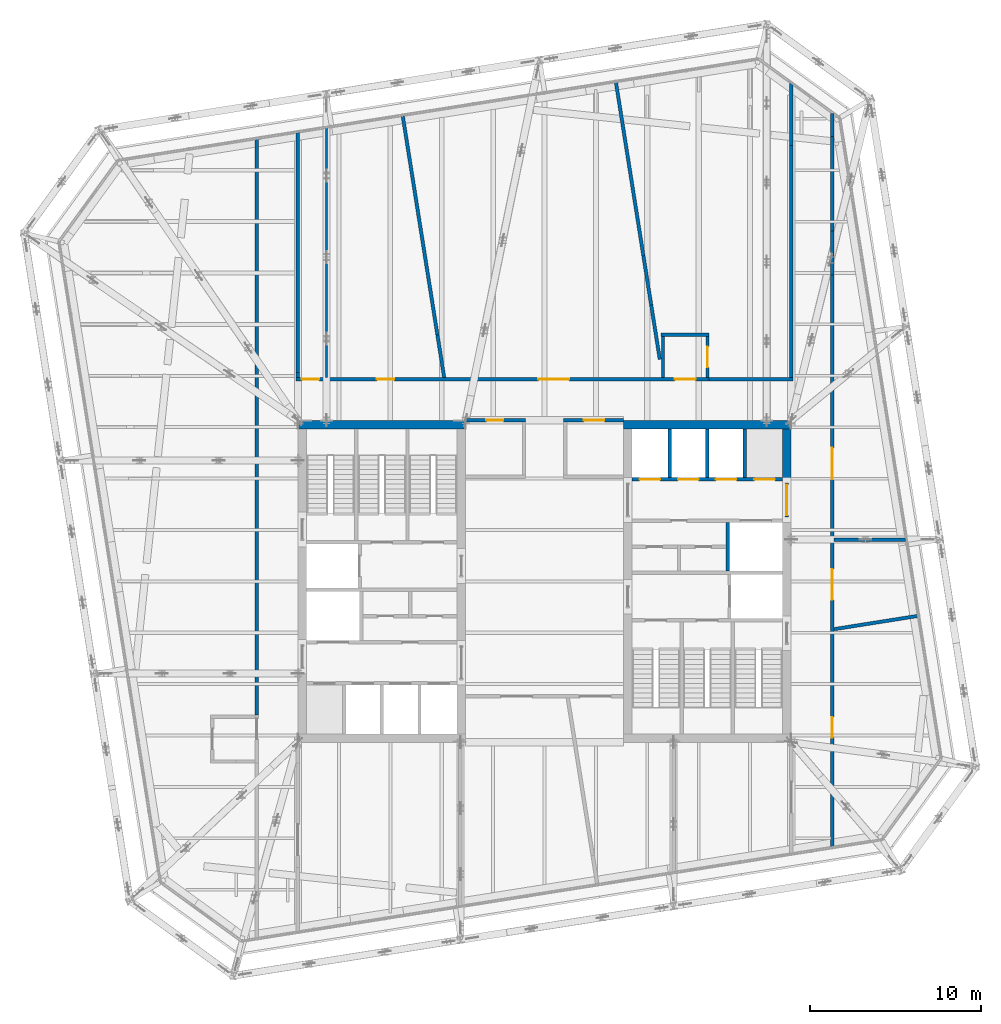
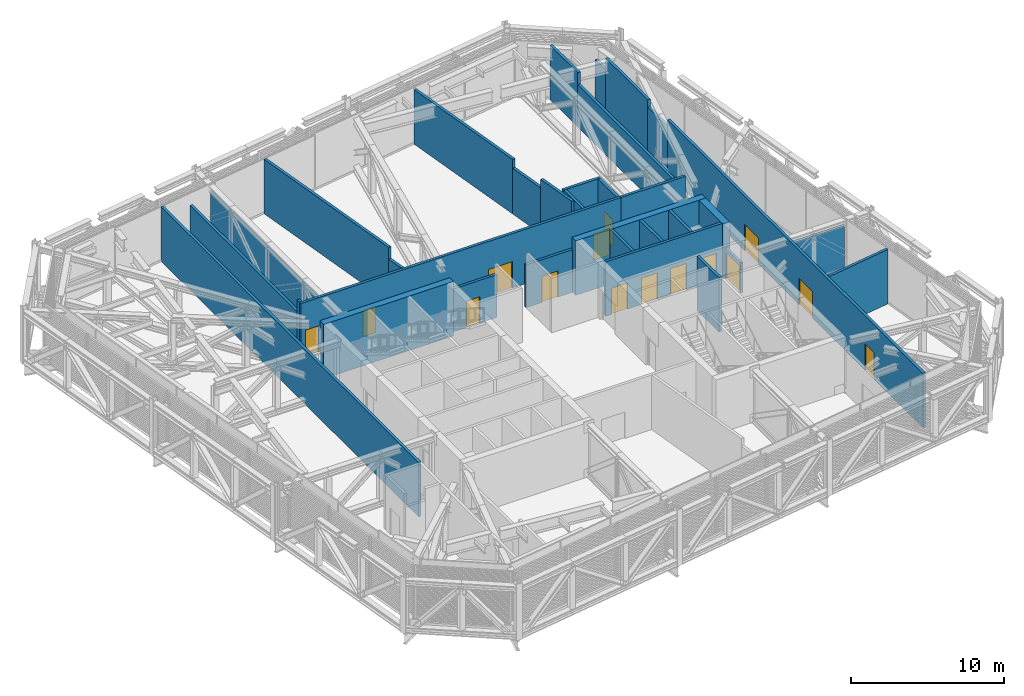
# One storey, part 23 of 32: 33 walls, 15 doors, 15 openings.
"""IFC4 building model written with IfcOpenShell, lengths in metres."""

from ifc_helpers import new_model, si_unit, direction, frame, frame_2d, origin, place, context, subcontext, project, spatial, rectangle, extrude, material, layer, layer_set, type_object, element, fill, save


model = new_model("IFC4")

# Units and contexts
model_context = context("Model", 3, precision=1e-05, world=origin(), true_north=direction((0.0, 1.0)))
body_context = subcontext(model_context, "Body", "Model", "MODEL_VIEW")
ifc_project = project(units=[si_unit("LENGTHUNIT", "METRE"), si_unit("AREAUNIT", "SQUARE_METRE"), si_unit("VOLUMEUNIT", "CUBIC_METRE"), si_unit("PLANEANGLEUNIT", "RADIAN"), si_unit("MASSUNIT", "GRAM", prefix="KILO")], contexts=[model_context])

# Site, building, storey
site_placement = place(None, origin())
site = spatial("IfcSite", under=ifc_project, at=site_placement, CompositionType="ELEMENT")
building_placement = place(site_placement, origin())
building = spatial("IfcBuilding", under=site, at=building_placement, Name="Millrace Tower", CompositionType="ELEMENT")
storey_placement = place(building_placement, frame((0.0, 0.0, 266.89990234375)))
storey = spatial("IfcBuildingStorey", under=building, at=storey_placement, Name="L61", CompositionType="ELEMENT", Elevation=266.89990234375)

# Walls
ifc_material_1 = material(Name="Concrete C60", Category="concrete")
ifc_layer_1 = layer(ifc_material_1, 0.5)
ifc_layer_set_1 = layer_set([ifc_layer_1], Name="Concrete C60")
wall_type_1 = type_object("IfcWallType", Name="Core wall 500 Concrete C60", PredefinedType="SHEAR", material=ifc_layer_set_1)
for number, where, z_axis, x_axis, name in (
    (1, (-14.39990234375, 9.14990234375, 0.0), (0.0, 0.0, 1.0), (1.0, 0.0, 0.0), "Core wall W L61"),
    (2, (14.39990234375, 9.14990234375, 0.0), (0.0, 0.0, 1.0), (-1.0, 0.0, 0.0), "Core wall E L61"),
):
    element("IfcWall", number, at=place(storey_placement, frame(where, z_axis=z_axis, x_axis=x_axis)), inside=storey, type_object=wall_type_1, Name=name, PredefinedType="SHEAR", context=body_context, shape_type="SweptSolid", body=[
        extrude(rectangle(XDim=9.7998046875, YDim=0.5, at=frame_2d((4.89990234375, 0.0))), origin(), (0.0, 0.0, 1.0), 4.340087890625),
    ])
wall_1_placement = place(storey_placement, frame((14.14990234375, 8.89990234375, 0.0), z_axis=(0.0, 0.0, 1.0), x_axis=(0.0, -1.0, 0.0)))
element("IfcWall", 3, at=wall_1_placement, inside=storey, type_object=wall_type_1, Name="Core wall E L61", PredefinedType="SHEAR", context=body_context, shape_type="SweptSolid", body=[
    extrude(rectangle(XDim=3.14990234375, YDim=0.5, at=frame_2d((1.574951171875, 0.0))), origin(), (0.0, 0.0, 1.0), 4.340087890625),
])
ifc_material_2 = material(Name="Masonry partition, fire-rated", Category="masonry")
ifc_layer_2 = layer(ifc_material_2, 0.199951171875)
ifc_layer_set_2 = layer_set([ifc_layer_2], Name="Masonry partition, fire-rated")
wall_type_2 = type_object("IfcWallType", Name="Corridor wall 200", PredefinedType="PARTITIONING", material=ifc_layer_set_2)
wall_2_placement = place(storey_placement, frame((-8.27685546875, 27.16796875, 0.0), z_axis=(0.0, 0.0, 1.0), x_axis=(0.156424635282, -0.987689897426, 0.0)))
element("IfcWall", 4, at=wall_2_placement, inside=storey, type_object=wall_type_2, Name="Corridor wall L61", PredefinedType="PARTITIONING", context=body_context, shape_type="SweptSolid", body=[
    extrude(rectangle(XDim=12.94189453125, YDim=0.199951171875, at=frame_2d((6.470947265625, 0.0))), origin(), (0.0, 0.0, 1.0), 4.340087890625),
])
wall_3_placement = place(storey_placement, frame((-6.25244140625, 14.385498046875, 0.0), z_axis=(0.0, 0.0, 1.0), x_axis=(0.156430978119, -0.987688892863, 0.0)))
element("IfcWall", 5, at=wall_3_placement, inside=storey, type_object=wall_type_2, Name="Corridor wall L61", PredefinedType="PARTITIONING", context=body_context, shape_type="SweptSolid", body=[
    extrude(rectangle(XDim=2.515869140625, YDim=0.199951171875, at=frame_2d((1.2578125, 0.0))), origin(), (0.0, 0.0, 1.0), 3.4130859375),
])
wall_4_placement = place(storey_placement, frame((16.900146484375, 2.4384765625, 0.0), z_axis=(0.0, 0.0, 1.0), x_axis=(1.0, 0.0, 0.0)))
element("IfcWall", 6, at=wall_4_placement, inside=storey, type_object=wall_type_2, Name="Corridor wall L61", PredefinedType="PARTITIONING", context=body_context, shape_type="SweptSolid", body=[
    extrude(rectangle(XDim=4.18310546875, YDim=0.199951171875, at=frame_2d((2.091552734375, 0.0))), origin(), (0.0, 0.0, 1.0), 3.76513671875),
])

# Wall, opening, door
wall_5_placement = place(storey_placement, frame((-4.60009765625, 9.39990234375, 0.0), z_axis=(0.0, 0.0, 1.0), x_axis=(1.0, 0.0, 0.0)))
wall_5 = element("IfcWall", 7, at=wall_5_placement, inside=storey, type_object=wall_type_2, Name="Corridor wall L61", PredefinedType="PARTITIONING", context=body_context, shape_type="SweptSolid", body=[
    extrude(rectangle(XDim=3.5, YDim=0.199951171875, at=frame_2d((1.75, 0.0))), origin(), (0.0, 0.0, 1.0), 3.4130859375),
])
opening_1_placement = place(wall_5_placement, frame((1.199951171875, 0.0, 0.0)))
opening_1 = element("IfcOpeningElement", 8, at=opening_1_placement, cuts=wall_5, Name="Opening 61-P001", PredefinedType="OPENING", context=body_context, shape_type="SweptSolid", body=[
    extrude(rectangle(XDim=1.0, YDim=2.10009765625, at=frame_2d((0.5, 1.050048828125))), frame((0.0, 0.10986328125, 0.0), z_axis=(0.0, -1.0, 0.0), x_axis=(1.0, 0.0, 0.0)), (0.0, 0.0, 1.0), 0.219970703125),
])
ifc_material_3 = material(Name="Steel door set, fire-rated", Category="steel")
door_type_1 = type_object("IfcDoorType", Name="Corridor door 1000 x 2100", OperationType="SINGLE_SWING_LEFT", PredefinedType="DOOR", material=ifc_material_3)
door_1_placement = place(opening_1_placement, frame((1.0, 0.0, 0.0), z_axis=(0.0, 0.0, 1.0), x_axis=(-1.0, 0.0, 0.0)))
door_1 = element("IfcDoor", 9, at=door_1_placement, inside=storey, type_object=door_type_1, Name="Door 61-P001", OperationType="SINGLE_SWING_LEFT", OverallHeight=2.10009765625, OverallWidth=1.0, PredefinedType="DOOR", context=body_context, shape_type="SweptSolid", body=[
    extrude(rectangle(XDim=1.0, YDim=2.10009765625, at=frame_2d((0.5, 1.050048828125))), frame((0.0, 0.02490234375, 0.0), z_axis=(0.0, -1.0, 0.0), x_axis=(1.0, 0.0, 0.0)), (0.0, 0.0, 1.0), 0.050048828125),
])
fill(opening_1, door_1)

wall_6_placement = place(storey_placement, frame((1.10009765625, 9.39990234375, 0.0), z_axis=(0.0, 0.0, 1.0), x_axis=(1.0, 0.0, 0.0)))
wall_6 = element("IfcWall", 10, at=wall_6_placement, inside=storey, type_object=wall_type_2, Name="Corridor wall L61", PredefinedType="PARTITIONING", context=body_context, shape_type="SweptSolid", body=[
    extrude(rectangle(XDim=3.5, YDim=0.199951171875, at=frame_2d((1.75, 0.0))), origin(), (0.0, 0.0, 1.0), 3.4130859375),
])
opening_2_placement = place(wall_6_placement, frame((1.199951171875, 0.0, 0.0)))
opening_2 = element("IfcOpeningElement", 11, at=opening_2_placement, cuts=wall_6, Name="Opening 61-P002", PredefinedType="OPENING", context=body_context, shape_type="SweptSolid", body=[
    extrude(rectangle(XDim=1.199951171875, YDim=2.10009765625, at=frame_2d((0.60009765625, 1.050048828125))), frame((0.0, 0.10986328125, 0.0), z_axis=(0.0, -1.0, 0.0), x_axis=(1.0, 0.0, 0.0)), (0.0, 0.0, 1.0), 0.219970703125),
])
ifc_material_4 = material(Name="Steel door set, fire-rated", Category="steel")
door_type_2 = type_object("IfcDoorType", Name="Corridor door 1200 x 2100", OperationType="SINGLE_SWING_LEFT", PredefinedType="DOOR", material=ifc_material_4)
door_2_placement = place(opening_2_placement, frame((1.199951171875, 0.0, 0.0), z_axis=(0.0, 0.0, 1.0), x_axis=(-1.0, 0.0, 0.0)))
door_2 = element("IfcDoor", 12, at=door_2_placement, inside=storey, type_object=door_type_2, Name="Door 61-P002", OperationType="SINGLE_SWING_LEFT", OverallHeight=2.10009765625, OverallWidth=1.199951171875, PredefinedType="DOOR", context=body_context, shape_type="SweptSolid", body=[
    extrude(rectangle(XDim=1.199951171875, YDim=2.10009765625, at=frame_2d((0.60009765625, 1.050048828125))), frame((0.0, 0.02490234375, 0.0), z_axis=(0.0, -1.0, 0.0), x_axis=(1.0, 0.0, 0.0)), (0.0, 0.0, 1.0), 0.050048828125),
])
fill(opening_2, door_2)

# Wall, openings, doors
wall_7_placement = place(storey_placement, frame((-14.5, 11.800048828125, 0.0), z_axis=(0.0, 0.0, 1.0), x_axis=(1.0, 0.0, 0.0)))
wall_7 = element("IfcWall", 13, at=wall_7_placement, inside=storey, type_object=wall_type_2, Name="Corridor wall L61", PredefinedType="PARTITIONING", context=body_context, shape_type="SweptSolid", body=[
    extrude(rectangle(XDim=24.114013671875, YDim=0.199951171875, at=frame_2d((12.05712890625, 0.0))), origin(), (0.0, 0.0, 1.0), 4.340087890625),
])
opening_3_placement = place(wall_7_placement, frame((0.333251953125, 0.0, 0.0)))
opening_3 = element("IfcOpeningElement", 14, at=opening_3_placement, cuts=wall_7, Name="Opening 61-P005", PredefinedType="OPENING", context=body_context, shape_type="SweptSolid", body=[
    extrude(rectangle(XDim=1.0, YDim=2.10009765625, at=frame_2d((0.5, 1.050048828125))), frame((0.0, 0.10986328125, 0.0), z_axis=(0.0, -1.0, 0.0), x_axis=(1.0, 0.0, 0.0)), (0.0, 0.0, 1.0), 0.219970703125),
])
opening_4_placement = place(wall_7_placement, frame((4.7119140625, 0.0, 0.0)))
opening_4 = element("IfcOpeningElement", 15, at=opening_4_placement, cuts=wall_7, Name="Opening 61-P006", PredefinedType="OPENING", context=body_context, shape_type="SweptSolid", body=[
    extrude(rectangle(XDim=1.0, YDim=2.10009765625, at=frame_2d((0.5, 1.050048828125))), frame((0.0, 0.10986328125, 0.0), z_axis=(0.0, -1.0, 0.0), x_axis=(1.0, 0.0, 0.0)), (0.0, 0.0, 1.0), 0.219970703125),
])
opening_5_placement = place(wall_7_placement, frame((14.135498046875, 0.0, 0.0)))
opening_5 = element("IfcOpeningElement", 16, at=opening_5_placement, cuts=wall_7, Name="Opening 61-P007", PredefinedType="OPENING", context=body_context, shape_type="SweptSolid", body=[
    extrude(rectangle(XDim=1.800048828125, YDim=2.10009765625, at=frame_2d((0.89990234375, 1.050048828125))), frame((0.0, 0.10986328125, 0.0), z_axis=(0.0, -1.0, 0.0), x_axis=(1.0, 0.0, 0.0)), (0.0, 0.0, 1.0), 0.219970703125),
])
opening_6_placement = place(wall_7_placement, frame((22.114013671875, 0.0, 0.0)))
opening_6 = element("IfcOpeningElement", 17, at=opening_6_placement, cuts=wall_7, Name="Opening 61-P009", PredefinedType="OPENING", context=body_context, shape_type="SweptSolid", body=[
    extrude(rectangle(XDim=1.199951171875, YDim=2.10009765625, at=frame_2d((0.60009765625, 1.050048828125))), frame((0.0, 0.10986328125, 0.0), z_axis=(0.0, -1.0, 0.0), x_axis=(1.0, 0.0, 0.0)), (0.0, 0.0, 1.0), 0.219970703125),
])
door_3_placement = place(opening_3_placement, origin())
door_3 = element("IfcDoor", 18, at=door_3_placement, inside=storey, type_object=door_type_1, Name="Door 61-P005", OperationType="SINGLE_SWING_LEFT", OverallHeight=2.10009765625, OverallWidth=1.0, PredefinedType="DOOR", context=body_context, shape_type="SweptSolid", body=[
    extrude(rectangle(XDim=1.0, YDim=2.10009765625, at=frame_2d((0.5, 1.050048828125))), frame((0.0, 0.02490234375, 0.0), z_axis=(0.0, -1.0, 0.0), x_axis=(1.0, 0.0, 0.0)), (0.0, 0.0, 1.0), 0.050048828125),
])
fill(opening_3, door_3)
door_4_placement = place(opening_4_placement, origin())
door_4 = element("IfcDoor", 19, at=door_4_placement, inside=storey, type_object=door_type_1, Name="Door 61-P006", OperationType="SINGLE_SWING_LEFT", OverallHeight=2.10009765625, OverallWidth=1.0, PredefinedType="DOOR", context=body_context, shape_type="SweptSolid", body=[
    extrude(rectangle(XDim=1.0, YDim=2.10009765625, at=frame_2d((0.5, 1.050048828125))), frame((0.0, 0.02490234375, 0.0), z_axis=(0.0, -1.0, 0.0), x_axis=(1.0, 0.0, 0.0)), (0.0, 0.0, 1.0), 0.050048828125),
])
fill(opening_4, door_4)
door_5_placement = place(opening_6_placement, origin())
door_5 = element("IfcDoor", 20, at=door_5_placement, inside=storey, type_object=door_type_2, Name="Door 61-P009", OperationType="SINGLE_SWING_RIGHT", OverallHeight=2.10009765625, OverallWidth=1.199951171875, PredefinedType="DOOR", context=body_context, shape_type="SweptSolid", body=[
    extrude(rectangle(XDim=1.199951171875, YDim=2.10009765625, at=frame_2d((0.60009765625, 1.050048828125))), frame((0.0, 0.02490234375, 0.0), z_axis=(0.0, -1.0, 0.0), x_axis=(1.0, 0.0, 0.0)), (0.0, 0.0, 1.0), 0.050048828125),
])
fill(opening_6, door_5)
ifc_material_5 = material(Name="Steel door set, fire-rated", Category="steel")
door_type_3 = type_object("IfcDoorType", Name="Plant room door 1800 x 2100", OperationType="DOUBLE_DOOR_SINGLE_SWING", PredefinedType="DOOR", material=ifc_material_5)
door_6_placement = place(opening_5_placement, origin())
door_6 = element("IfcDoor", 21, at=door_6_placement, inside=storey, type_object=door_type_3, Name="Door 61-P007", OperationType="DOUBLE_DOOR_SINGLE_SWING", OverallHeight=2.10009765625, OverallWidth=1.800048828125, PredefinedType="DOOR", context=body_context, shape_type="SweptSolid", body=[
    extrude(rectangle(XDim=1.800048828125, YDim=2.10009765625, at=frame_2d((0.89990234375, 1.050048828125))), frame((0.0, 0.02490234375, 0.0), z_axis=(0.0, -1.0, 0.0), x_axis=(1.0, 0.0, 0.0)), (0.0, 0.0, 1.0), 0.050048828125),
])
fill(opening_5, door_6)

# Wall
wall_8_placement = place(storey_placement, frame((16.900634765625, -2.7919921875, 0.0), z_axis=(0.0, 0.0, 1.0), x_axis=(0.987706105312, 0.156322261786, 0.0)))
element("IfcWall", 22, at=wall_8_placement, inside=storey, type_object=wall_type_2, Name="Corridor wall L61", PredefinedType="PARTITIONING", context=body_context, shape_type="SweptSolid", body=[
    extrude(rectangle(XDim=4.94921875, YDim=0.199951171875, at=frame_2d((2.474609375, 0.0))), origin(), (0.0, 0.0, 1.0), 4.340087890625),
])

# Wall, openings, doors
wall_9_placement = place(storey_placement, frame((16.800048828125, -15.494384765625, 0.0), z_axis=(0.0, 0.0, 1.0), x_axis=(0.0, 1.0, 0.0)))
wall_9 = element("IfcWall", 23, at=wall_9_placement, inside=storey, type_object=wall_type_2, Name="Corridor wall L61", PredefinedType="PARTITIONING", context=body_context, shape_type="SweptSolid", body=[
    extrude(rectangle(XDim=33.366455078125, YDim=0.199951171875, at=frame_2d((16.68310546875, 0.0))), origin(), (0.0, 0.0, 1.0), 4.340087890625),
])
opening_7_placement = place(wall_9_placement, frame((6.368408203125, 0.0, 0.0)))
opening_7 = element("IfcOpeningElement", 24, at=opening_7_placement, cuts=wall_9, Name="Opening 61-P010", PredefinedType="OPENING", context=body_context, shape_type="SweptSolid", body=[
    extrude(rectangle(XDim=1.199951171875, YDim=2.10009765625, at=frame_2d((0.60009765625, 1.050048828125))), frame((0.0, 0.10986328125, 0.0), z_axis=(0.0, -1.0, 0.0), x_axis=(1.0, 0.0, 0.0)), (0.0, 0.0, 1.0), 0.219970703125),
])
opening_8_placement = place(wall_9_placement, frame((21.49462890625, 0.0, 0.0)))
opening_8 = element("IfcOpeningElement", 25, at=opening_8_placement, cuts=wall_9, Name="Opening 61-P011", PredefinedType="OPENING", context=body_context, shape_type="SweptSolid", body=[
    extrude(rectangle(XDim=1.800048828125, YDim=2.10009765625, at=frame_2d((0.89990234375, 1.050048828125))), frame((0.0, 0.10986328125, 0.0), z_axis=(0.0, -1.0, 0.0), x_axis=(1.0, 0.0, 0.0)), (0.0, 0.0, 1.0), 0.219970703125),
])
opening_9_placement = place(wall_9_placement, frame((14.40966796875, 0.0, 0.0)))
opening_9 = element("IfcOpeningElement", 26, at=opening_9_placement, cuts=wall_9, Name="Opening 61-P012", PredefinedType="OPENING", context=body_context, shape_type="SweptSolid", body=[
    extrude(rectangle(XDim=1.800048828125, YDim=2.10009765625, at=frame_2d((0.89990234375, 1.050048828125))), frame((0.0, 0.10986328125, 0.0), z_axis=(0.0, -1.0, 0.0), x_axis=(1.0, 0.0, 0.0)), (0.0, 0.0, 1.0), 0.219970703125),
])
ifc_material_6 = material(Name="Steel door set, fire-rated", Category="steel")
door_type_4 = type_object("IfcDoorType", Name="Plant room door 1200 x 2100", OperationType="SINGLE_SWING_LEFT", PredefinedType="DOOR", material=ifc_material_6)
door_7_placement = place(opening_7_placement, frame((1.199951171875, 0.0, 0.0), z_axis=(0.0, 0.0, 1.0), x_axis=(-1.0, 0.0, 0.0)))
door_7 = element("IfcDoor", 27, at=door_7_placement, inside=storey, type_object=door_type_4, Name="Door 61-P010", OperationType="SINGLE_SWING_RIGHT", OverallHeight=2.10009765625, OverallWidth=1.199951171875, PredefinedType="DOOR", context=body_context, shape_type="SweptSolid", body=[
    extrude(rectangle(XDim=1.199951171875, YDim=2.10009765625, at=frame_2d((0.60009765625, 1.050048828125))), frame((0.0, 0.02490234375, 0.0), z_axis=(0.0, -1.0, 0.0), x_axis=(1.0, 0.0, 0.0)), (0.0, 0.0, 1.0), 0.050048828125),
])
fill(opening_7, door_7)
door_8_placement = place(opening_8_placement, frame((1.800048828125, 0.0, 0.0), z_axis=(0.0, 0.0, 1.0), x_axis=(-1.0, 0.0, 0.0)))
door_8 = element("IfcDoor", 28, at=door_8_placement, inside=storey, type_object=door_type_3, Name="Door 61-P011", OperationType="DOUBLE_DOOR_SINGLE_SWING", OverallHeight=2.10009765625, OverallWidth=1.800048828125, PredefinedType="DOOR", context=body_context, shape_type="SweptSolid", body=[
    extrude(rectangle(XDim=1.800048828125, YDim=2.10009765625, at=frame_2d((0.89990234375, 1.050048828125))), frame((0.0, 0.02490234375, 0.0), z_axis=(0.0, -1.0, 0.0), x_axis=(1.0, 0.0, 0.0)), (0.0, 0.0, 1.0), 0.050048828125),
])
fill(opening_8, door_8)
door_9_placement = place(opening_9_placement, frame((1.800048828125, 0.0, 0.0), z_axis=(0.0, 0.0, 1.0), x_axis=(-1.0, 0.0, 0.0)))
door_9 = element("IfcDoor", 29, at=door_9_placement, inside=storey, type_object=door_type_3, Name="Door 61-P012", OperationType="DOUBLE_DOOR_SINGLE_SWING", OverallHeight=2.10009765625, OverallWidth=1.800048828125, PredefinedType="DOOR", context=body_context, shape_type="SweptSolid", body=[
    extrude(rectangle(XDim=1.800048828125, YDim=2.10009765625, at=frame_2d((0.89990234375, 1.050048828125))), frame((0.0, 0.02490234375, 0.0), z_axis=(0.0, -1.0, 0.0), x_axis=(1.0, 0.0, 0.0)), (0.0, 0.0, 1.0), 0.050048828125),
])
fill(opening_9, door_9)

# Walls
wall_10_placement = place(storey_placement, frame((16.800048828125, 17.8720703125, 0.0), z_axis=(0.0, 0.0, 1.0), x_axis=(0.0, 1.0, 0.0)))
element("IfcWall", 30, at=wall_10_placement, inside=storey, type_object=wall_type_2, Name="Corridor wall L61", PredefinedType="PARTITIONING", context=body_context, shape_type="SweptSolid", body=[
    extrude(rectangle(XDim=2.591796875, YDim=0.199951171875, at=frame_2d((1.2958984375, 0.0))), origin(), (0.0, 0.0, 1.0), 3.76513671875),
])
wall_11_placement = place(storey_placement, frame((16.800048828125, 20.4638671875, 0.0), z_axis=(0.0, 0.0, 1.0), x_axis=(0.0, 1.0, 0.0)))
element("IfcWall", 31, at=wall_11_placement, inside=storey, type_object=wall_type_2, Name="Corridor wall L61", PredefinedType="PARTITIONING", context=body_context, shape_type="SweptSolid", body=[
    extrude(rectangle(XDim=5.4990234375, YDim=0.199951171875, at=frame_2d((2.74951171875, 0.0))), origin(), (0.0, 0.0, 1.0), 4.340087890625),
])
wall_12_placement = place(storey_placement, frame((16.800048828125, 25.962890625, 0.0), z_axis=(0.0, 0.0, 1.0), x_axis=(0.0, 1.0, 0.0)))
element("IfcWall", 32, at=wall_12_placement, inside=storey, type_object=wall_type_2, Name="Corridor wall L61", PredefinedType="PARTITIONING", context=body_context, shape_type="SweptSolid", body=[
    extrude(rectangle(XDim=1.351318359375, YDim=0.199951171875, at=frame_2d((0.67578125, 0.0))), origin(), (0.0, 0.0, 1.0), 3.40283203125),
])
wall_13_placement = place(storey_placement, frame((-14.39990234375, 11.89990234375, 0.0), z_axis=(0.0, 0.0, 1.0), x_axis=(0.0, 1.0, 0.0)))
element("IfcWall", 33, at=wall_13_placement, inside=storey, type_object=wall_type_2, Name="Corridor wall L61", PredefinedType="PARTITIONING", context=body_context, shape_type="SweptSolid", body=[
    extrude(rectangle(XDim=0.304443359375, YDim=0.199951171875, at=frame_2d((0.15234375, 0.0))), origin(), (0.0, 0.0, 1.0), 4.340087890625),
])
wall_14_placement = place(storey_placement, frame((-14.39990234375, 12.204345703125, 0.0), z_axis=(0.0, 0.0, 1.0), x_axis=(0.0, 1.0, 0.0)))
element("IfcWall", 34, at=wall_14_placement, inside=storey, type_object=wall_type_2, Name="Corridor wall L61", PredefinedType="PARTITIONING", context=body_context, shape_type="SweptSolid", body=[
    extrude(rectangle(XDim=13.993896484375, YDim=0.199951171875, at=frame_2d((6.9970703125, 0.0))), origin(), (0.0, 0.0, 1.0), 3.392578125),
])

# Wall, openings, doors
ifc_material_7 = material(Name="Masonry partition, fire-rated", Category="masonry")
ifc_layer_3 = layer(ifc_material_7, 0.199951171875)
ifc_layer_set_3 = layer_set([ifc_layer_3], Name="Masonry partition, fire-rated")
wall_type_3 = type_object("IfcWallType", Name="Lift shaft wall 200", PredefinedType="PARTITIONING", material=ifc_layer_set_3)
wall_15_placement = place(storey_placement, frame((13.89990234375, 5.949951171875, 0.0), z_axis=(0.0, 0.0, 1.0), x_axis=(-1.0, 0.0, 0.0)))
wall_15 = element("IfcWall", 35, at=wall_15_placement, inside=storey, type_object=wall_type_3, Name="Lift shaft wall E L61", PredefinedType="PARTITIONING", context=body_context, shape_type="SweptSolid", body=[
    extrude(rectangle(XDim=8.7998046875, YDim=0.199951171875, at=frame_2d((4.39990234375, 0.0))), origin(), (0.0, 0.0, 1.0), 4.340087890625),
])
opening_10_placement = place(wall_15_placement, frame((0.449951171875, 0.0, 0.0)))
opening_10 = element("IfcOpeningElement", 36, at=opening_10_placement, cuts=wall_15, Name="Opening 61-LD09", PredefinedType="OPENING", context=body_context, shape_type="SweptSolid", body=[
    extrude(rectangle(XDim=1.199951171875, YDim=2.10009765625, at=frame_2d((0.60009765625, 1.050048828125))), frame((0.0, 0.10986328125, 0.0), z_axis=(0.0, -1.0, 0.0), x_axis=(1.0, 0.0, 0.0)), (0.0, 0.0, 1.0), 0.219970703125),
])
opening_11_placement = place(wall_15_placement, frame((2.699951171875, 0.0, 0.0)))
opening_11 = element("IfcOpeningElement", 37, at=opening_11_placement, cuts=wall_15, Name="Opening 61-LD10", PredefinedType="OPENING", context=body_context, shape_type="SweptSolid", body=[
    extrude(rectangle(XDim=1.199951171875, YDim=2.10009765625, at=frame_2d((0.60009765625, 1.050048828125))), frame((0.0, 0.10986328125, 0.0), z_axis=(0.0, -1.0, 0.0), x_axis=(1.0, 0.0, 0.0)), (0.0, 0.0, 1.0), 0.219970703125),
])
opening_12_placement = place(wall_15_placement, frame((4.89990234375, 0.0, 0.0)))
opening_12 = element("IfcOpeningElement", 38, at=opening_12_placement, cuts=wall_15, Name="Opening 61-LD11", PredefinedType="OPENING", context=body_context, shape_type="SweptSolid", body=[
    extrude(rectangle(XDim=1.199951171875, YDim=2.10009765625, at=frame_2d((0.60009765625, 1.050048828125))), frame((0.0, 0.10986328125, 0.0), z_axis=(0.0, -1.0, 0.0), x_axis=(1.0, 0.0, 0.0)), (0.0, 0.0, 1.0), 0.219970703125),
])
opening_13_placement = place(wall_15_placement, frame((7.14990234375, 0.0, 0.0)))
opening_13 = element("IfcOpeningElement", 39, at=opening_13_placement, cuts=wall_15, Name="Opening 61-LD12", PredefinedType="OPENING", context=body_context, shape_type="SweptSolid", body=[
    extrude(rectangle(XDim=1.199951171875, YDim=2.10009765625, at=frame_2d((0.60009765625, 1.050048828125))), frame((0.0, 0.10986328125, 0.0), z_axis=(0.0, -1.0, 0.0), x_axis=(1.0, 0.0, 0.0)), (0.0, 0.0, 1.0), 0.219970703125),
])
ifc_material_8 = material(Name="Stainless steel, fire-rated", Category="steel")
door_type_5 = type_object("IfcDoorType", Name="Lift landing door 1200 x 2100", OperationType="DOUBLE_DOOR_SLIDING", PredefinedType="DOOR", material=ifc_material_8)
door_10_placement = place(opening_10_placement, origin())
door_10 = element("IfcDoor", 40, at=door_10_placement, inside=storey, type_object=door_type_5, Name="Lift landing door LF9 L61", OperationType="DOUBLE_DOOR_SLIDING", OverallHeight=2.10009765625, OverallWidth=1.199951171875, PredefinedType="DOOR", context=body_context, shape_type="SweptSolid", body=[
    extrude(rectangle(XDim=1.199951171875, YDim=2.10009765625, at=frame_2d((0.60009765625, 1.050048828125))), frame((0.0, 0.02490234375, 0.0), z_axis=(0.0, -1.0, 0.0), x_axis=(1.0, 0.0, 0.0)), (0.0, 0.0, 1.0), 0.050048828125),
])
fill(opening_10, door_10)
door_11_placement = place(opening_11_placement, origin())
door_11 = element("IfcDoor", 41, at=door_11_placement, inside=storey, type_object=door_type_5, Name="Lift landing door LF10 L61", OperationType="DOUBLE_DOOR_SLIDING", OverallHeight=2.10009765625, OverallWidth=1.199951171875, PredefinedType="DOOR", context=body_context, shape_type="SweptSolid", body=[
    extrude(rectangle(XDim=1.199951171875, YDim=2.10009765625, at=frame_2d((0.60009765625, 1.050048828125))), frame((0.0, 0.02490234375, 0.0), z_axis=(0.0, -1.0, 0.0), x_axis=(1.0, 0.0, 0.0)), (0.0, 0.0, 1.0), 0.050048828125),
])
fill(opening_11, door_11)
door_12_placement = place(opening_12_placement, origin())
door_12 = element("IfcDoor", 42, at=door_12_placement, inside=storey, type_object=door_type_5, Name="Lift landing door LF11 L61", OperationType="DOUBLE_DOOR_SLIDING", OverallHeight=2.10009765625, OverallWidth=1.199951171875, PredefinedType="DOOR", context=body_context, shape_type="SweptSolid", body=[
    extrude(rectangle(XDim=1.199951171875, YDim=2.10009765625, at=frame_2d((0.60009765625, 1.050048828125))), frame((0.0, 0.02490234375, 0.0), z_axis=(0.0, -1.0, 0.0), x_axis=(1.0, 0.0, 0.0)), (0.0, 0.0, 1.0), 0.050048828125),
])
fill(opening_12, door_12)
door_13_placement = place(opening_13_placement, origin())
door_13 = element("IfcDoor", 43, at=door_13_placement, inside=storey, type_object=door_type_5, Name="Lift landing door LF12 L61", OperationType="DOUBLE_DOOR_SLIDING", OverallHeight=2.10009765625, OverallWidth=1.199951171875, PredefinedType="DOOR", context=body_context, shape_type="SweptSolid", body=[
    extrude(rectangle(XDim=1.199951171875, YDim=2.10009765625, at=frame_2d((0.60009765625, 1.050048828125))), frame((0.0, 0.02490234375, 0.0), z_axis=(0.0, -1.0, 0.0), x_axis=(1.0, 0.0, 0.0)), (0.0, 0.0, 1.0), 0.050048828125),
])
fill(opening_13, door_13)

# Walls
for number, where, z_axis, x_axis, name in (
    (44, (11.699951171875, 8.89990234375, 0.0), (0.0, 0.0, 1.0), (0.0, -1.0, 0.0), "Lift shaft wall E L61"),
    (45, (9.5, 8.89990234375, 0.0), (0.0, 0.0, 1.0), (0.0, -1.0, 0.0), "Lift shaft wall E L61"),
    (46, (7.300048828125, 8.89990234375, 0.0), (0.0, 0.0, 1.0), (0.0, -1.0, 0.0), "Lift shaft wall E L61"),
    (47, (10.699951171875, 3.449951171875, 0.0), (0.0, 0.0, 1.0), (0.0, -1.0, 0.0), "Lift shaft wall E L61"),
):
    element("IfcWall", number, at=place(storey_placement, frame(where, z_axis=z_axis, x_axis=x_axis)), inside=storey, type_object=wall_type_3, Name=name, PredefinedType="PARTITIONING", context=body_context, shape_type="SweptSolid", body=[
        extrude(rectangle(XDim=2.849853515625, YDim=0.199951171875, at=frame_2d((1.4248046875, 0.0))), origin(), (0.0, 0.0, 1.0), 4.340087890625),
    ])

# Wall, opening, door
ifc_material_9 = material(Name="Masonry partition, fire-rated", Category="masonry")
ifc_layer_4 = layer(ifc_material_9, 0.199951171875)
ifc_layer_set_4 = layer_set([ifc_layer_4], Name="Masonry partition, fire-rated")
wall_type_4 = type_object("IfcWallType", Name="Lobby wall 200", PredefinedType="PARTITIONING", material=ifc_layer_set_4)
wall_16_placement = place(storey_placement, frame((14.14990234375, 5.75, 0.0), z_axis=(0.0, 0.0, 1.0), x_axis=(0.0, -1.0, 0.0)))
wall_16 = element("IfcWall", 48, at=wall_16_placement, inside=storey, type_object=wall_type_4, Name="Lobby wall E L61", PredefinedType="PARTITIONING", context=body_context, shape_type="SweptSolid", body=[
    extrude(rectangle(XDim=2.0, YDim=0.199951171875, at=frame_2d((1.0, 0.0))), origin(), (0.0, 0.0, 1.0), 2.400146484375),
])
opening_14_placement = place(wall_16_placement, frame((0.10009765625, 0.0, 0.0)))
opening_14 = element("IfcOpeningElement", 49, at=opening_14_placement, cuts=wall_16, Name="Opening 61-C010", PredefinedType="OPENING", context=body_context, shape_type="SweptSolid", body=[
    extrude(rectangle(XDim=1.800048828125, YDim=2.10009765625, at=frame_2d((0.89990234375, 1.050048828125))), frame((0.0, 0.10986328125, 0.0), z_axis=(0.0, -1.0, 0.0), x_axis=(1.0, 0.0, 0.0)), (0.0, 0.0, 1.0), 0.219970703125),
])
ifc_material_10 = material(Name="Steel door, fire-rated", Category="steel")
door_type_6 = type_object("IfcDoorType", Name="Lobby door 1800 x 2100", OperationType="DOUBLE_DOOR_SINGLE_SWING", PredefinedType="DOOR", material=ifc_material_10)
door_14_placement = place(opening_14_placement, origin())
door_14 = element("IfcDoor", 50, at=door_14_placement, inside=storey, type_object=door_type_6, Name="Lobby door 61-C010", OperationType="DOUBLE_DOOR_SINGLE_SWING", OverallHeight=2.10009765625, OverallWidth=1.800048828125, PredefinedType="DOOR", context=body_context, shape_type="SweptSolid", body=[
    extrude(rectangle(XDim=1.800048828125, YDim=2.10009765625, at=frame_2d((0.89990234375, 1.050048828125))), frame((0.0, 0.02490234375, 0.0), z_axis=(0.0, -1.0, 0.0), x_axis=(1.0, 0.0, 0.0)), (0.0, 0.0, 1.0), 0.050048828125),
])
fill(opening_14, door_14)

# Walls
ifc_material_11 = material(Name="Gypsum board partition")
ifc_layer_5 = layer(ifc_material_11, 0.1201171875)
ifc_layer_set_5 = layer_set([ifc_layer_5], Name="Gypsum board partition")
wall_type_5 = type_object("IfcWallType", Name="Partition wall 120", PredefinedType="PARTITIONING", material=ifc_layer_set_5)
wall_17_placement = place(storey_placement, frame((-12.7333984375, 11.89990234375, 0.0), z_axis=(0.0, 0.0, 1.0), x_axis=(0.0, 1.0, 0.0)))
element("IfcWall", 51, at=wall_17_placement, inside=storey, type_object=wall_type_5, Name="Partition wall L61", PredefinedType="PARTITIONING", context=body_context, shape_type="SweptSolid", body=[
    extrude(rectangle(XDim=14.562255859375, YDim=0.1201171875, at=frame_2d((7.28125, 0.0))), origin(), (0.0, 0.0, 1.0), 3.76513671875),
])
ifc_material_12 = material(Name="Masonry partition, fire-rated", Category="masonry")
ifc_layer_6 = layer(ifc_material_12, 0.199951171875)
ifc_layer_set_6 = layer_set([ifc_layer_6], Name="Masonry partition, fire-rated")
wall_type_6 = type_object("IfcWallType", Name="Refuge area wall 200", PredefinedType="PARTITIONING", material=ifc_layer_set_6)
wall_18_placement = place(storey_placement, frame((4.168212890625, 29.13916015625, 0.0), z_axis=(0.0, 0.0, 1.0), x_axis=(0.156406113888, -0.987692830559, 0.0)))
element("IfcWall", 52, at=wall_18_placement, inside=storey, type_object=wall_type_6, Name="Refuge area wall L61", PredefinedType="PARTITIONING", context=body_context, shape_type="SweptSolid", body=[
    extrude(rectangle(XDim=10.260009765625, YDim=0.199951171875, at=frame_2d((5.1298828125, 0.0))), origin(), (0.0, 0.0, 1.0), 4.340087890625),
])
wall_19_placement = place(storey_placement, frame((5.77294921875, 19.00537109375, 0.0), z_axis=(0.0, 0.0, 1.0), x_axis=(0.15641598612, -0.987691267191, 0.0)))
element("IfcWall", 53, at=wall_19_placement, inside=storey, type_object=wall_type_6, Name="Refuge area wall L61", PredefinedType="PARTITIONING", context=body_context, shape_type="SweptSolid", body=[
    extrude(rectangle(XDim=2.903076171875, YDim=0.199951171875, at=frame_2d((1.45166015625, 0.0))), origin(), (0.0, 0.0, 1.0), 3.646728515625),
])
wall_20_placement = place(storey_placement, frame((6.22705078125, 16.137939453125, 0.0), z_axis=(0.0, 0.0, 1.0), x_axis=(0.15640681483, -0.987692719561, 0.0)))
element("IfcWall", 54, at=wall_20_placement, inside=storey, type_object=wall_type_6, Name="Refuge area wall L61", PredefinedType="PARTITIONING", context=body_context, shape_type="SweptSolid", body=[
    extrude(rectangle(XDim=3.217041015625, YDim=0.199951171875, at=frame_2d((1.6083984375, 0.0))), origin(), (0.0, 0.0, 1.0), 4.340087890625),
])
wall_21_placement = place(storey_placement, frame((9.614013671875, 11.800048828125, 0.0), z_axis=(0.0, 0.0, 1.0), x_axis=(1.0, 0.0, 0.0)))
element("IfcWall", 55, at=wall_21_placement, inside=storey, type_object=wall_type_6, Name="Refuge area wall L61", PredefinedType="PARTITIONING", context=body_context, shape_type="SweptSolid", body=[
    extrude(rectangle(XDim=4.885986328125, YDim=0.199951171875, at=frame_2d((2.44287109375, 0.0))), origin(), (0.0, 0.0, 1.0), 4.340087890625),
])
wall_22_placement = place(storey_placement, frame((6.81396484375, 14.39990234375, 0.0), z_axis=(0.0, 0.0, 1.0), x_axis=(1.0, 0.0, 0.0)))
element("IfcWall", 56, at=wall_22_placement, inside=storey, type_object=wall_type_6, Name="Refuge area wall L61", PredefinedType="PARTITIONING", context=body_context, shape_type="SweptSolid", body=[
    extrude(rectangle(XDim=2.800048828125, YDim=0.199951171875, at=frame_2d((1.39990234375, 0.0))), origin(), (0.0, 0.0, 1.0), 4.340087890625),
])
wall_23_placement = place(storey_placement, frame((14.39990234375, 11.89990234375, 0.0), z_axis=(0.0, 0.0, 1.0), x_axis=(0.0, 1.0, 0.0)))
element("IfcWall", 57, at=wall_23_placement, inside=storey, type_object=wall_type_6, Name="Refuge area wall L61", PredefinedType="PARTITIONING", context=body_context, shape_type="SweptSolid", body=[
    extrude(rectangle(XDim=13.534423828125, YDim=0.199951171875, at=frame_2d((6.76708984375, 0.0))), origin(), (0.0, 0.0, 1.0), 3.392578125),
])
wall_24_placement = place(storey_placement, frame((14.39990234375, 25.434326171875, 0.0), z_axis=(0.0, 0.0, 1.0), x_axis=(0.0, 1.0, 0.0)))
element("IfcWall", 58, at=wall_24_placement, inside=storey, type_object=wall_type_6, Name="Refuge area wall L61", PredefinedType="PARTITIONING", context=body_context, shape_type="SweptSolid", body=[
    extrude(rectangle(XDim=3.62353515625, YDim=0.199951171875, at=frame_2d((1.811767578125, 0.0))), origin(), (0.0, 0.0, 1.0), 4.340087890625),
])

# Wall, opening, door
wall_25_placement = place(storey_placement, frame((9.513916015625, 11.89990234375, 0.0), z_axis=(0.0, 0.0, 1.0), x_axis=(0.0, 1.0, 0.0)))
wall_25 = element("IfcWall", 59, at=wall_25_placement, inside=storey, type_object=wall_type_6, Name="Refuge area wall L61", PredefinedType="PARTITIONING", context=body_context, shape_type="SweptSolid", body=[
    extrude(rectangle(XDim=2.400146484375, YDim=0.199951171875, at=frame_2d((1.2001953125, 0.0))), origin(), (0.0, 0.0, 1.0), 4.340087890625),
])
opening_15_placement = place(wall_25_placement, frame((0.60009765625, 0.0, 0.0)))
opening_15 = element("IfcOpeningElement", 60, at=opening_15_placement, cuts=wall_25, Name="Opening 61-P008", PredefinedType="OPENING", context=body_context, shape_type="SweptSolid", body=[
    extrude(rectangle(XDim=1.199951171875, YDim=2.10009765625, at=frame_2d((0.60009765625, 1.050048828125))), frame((0.0, 0.10986328125, 0.0), z_axis=(0.0, -1.0, 0.0), x_axis=(1.0, 0.0, 0.0)), (0.0, 0.0, 1.0), 0.219970703125),
])
ifc_material_13 = material(Name="Steel door set, fire-rated", Category="steel")
door_type_7 = type_object("IfcDoorType", Name="Refuge door 1200 x 2100", OperationType="SINGLE_SWING_LEFT", PredefinedType="DOOR", material=ifc_material_13)
door_15_placement = place(opening_15_placement, frame((1.199951171875, 0.0, 0.0), z_axis=(0.0, 0.0, 1.0), x_axis=(-1.0, 0.0, 0.0)))
door_15 = element("IfcDoor", 61, at=door_15_placement, inside=storey, type_object=door_type_7, Name="Door 61-P008", OperationType="SINGLE_SWING_RIGHT", OverallHeight=2.10009765625, OverallWidth=1.199951171875, PredefinedType="DOOR", context=body_context, shape_type="SweptSolid", body=[
    extrude(rectangle(XDim=1.199951171875, YDim=2.10009765625, at=frame_2d((0.60009765625, 1.050048828125))), frame((0.0, 0.02490234375, 0.0), z_axis=(0.0, -1.0, 0.0), x_axis=(1.0, 0.0, 0.0)), (0.0, 0.0, 1.0), 0.050048828125),
])
fill(opening_15, door_15)

# Walls
wall_26_placement = place(storey_placement, frame((6.9140625, 11.89990234375, 0.0), z_axis=(0.0, 0.0, 1.0), x_axis=(0.0, 1.0, 0.0)))
element("IfcWall", 62, at=wall_26_placement, inside=storey, type_object=wall_type_6, Name="Refuge area wall L61", PredefinedType="PARTITIONING", context=body_context, shape_type="SweptSolid", body=[
    extrude(rectangle(XDim=2.400146484375, YDim=0.199951171875, at=frame_2d((1.2001953125, 0.0))), origin(), (0.0, 0.0, 1.0), 4.340087890625),
])
wall_27_placement = place(storey_placement, frame((-16.800048828125, -7.81591796875, 0.0), z_axis=(0.0, 0.0, 1.0), x_axis=(0.0, 1.0, 0.0)))
element("IfcWall", 63, at=wall_27_placement, inside=storey, type_object=wall_type_6, Name="Refuge area wall L61", PredefinedType="PARTITIONING", context=body_context, shape_type="SweptSolid", body=[
    extrude(rectangle(XDim=33.634033203125, YDim=0.199951171875, at=frame_2d((16.81689453125, 0.0))), origin(), (0.0, 0.0, 1.0), 4.340087890625),
])

save(model, "model.ifc")
